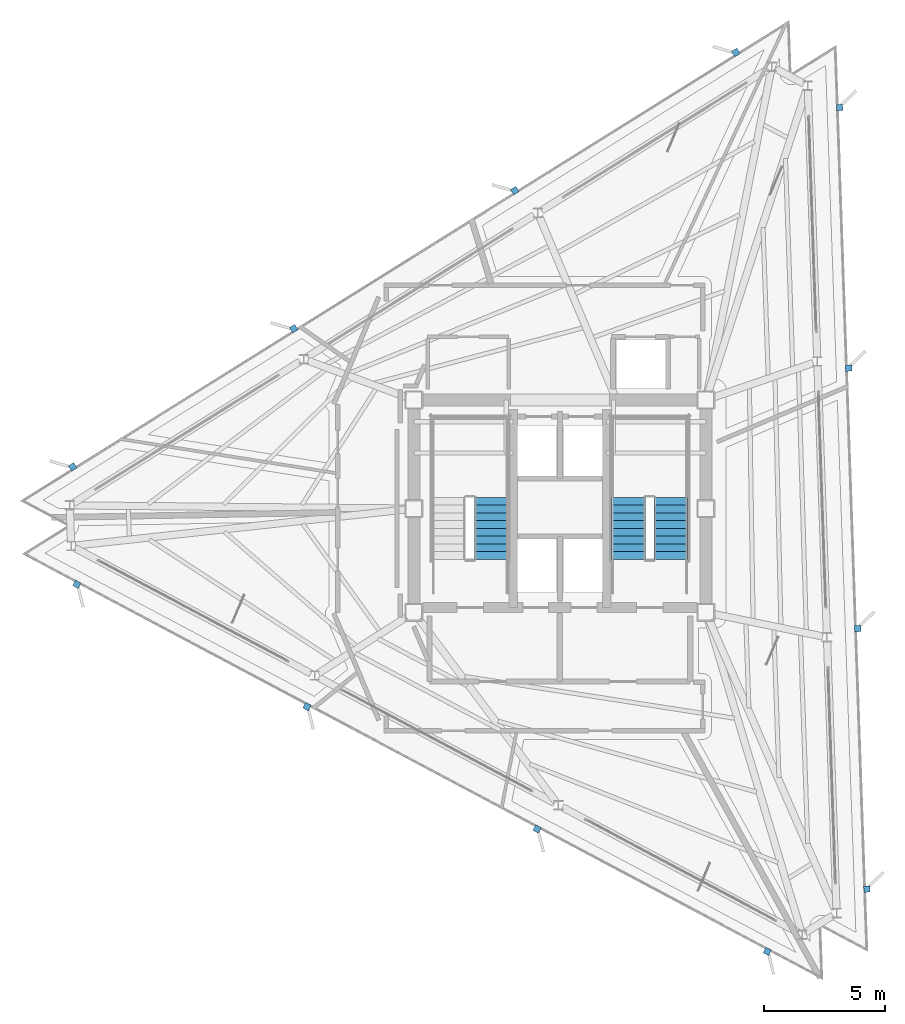
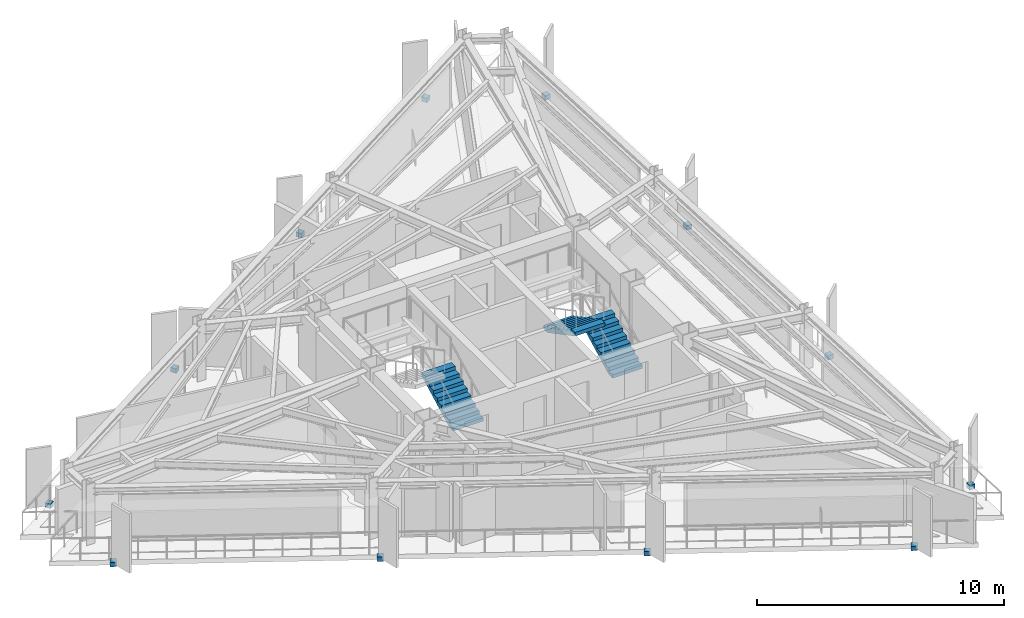
# One storey, part 10 of 13: 12 discrete accessories, 3 stair flights, 2 elements without a shape of their own.
"""IFC4 building model written with IfcOpenShell, lengths in metres."""

from ifc_helpers import new_model, si_unit, direction, frame, origin, origin_2d, place, context, subcontext, project, spatial, polyline, rectangle, outline, extrude, material, layer, layer_set, type_object, element, aggregate, save


model = new_model("IFC4")

# Units and contexts
model_context = context("Model", 3, precision=1e-05, world=origin(), true_north=direction((0.0, 1.0)))
body_context = subcontext(model_context, "Body", "Model", "MODEL_VIEW")
ifc_project = project(units=[si_unit("LENGTHUNIT", "METRE"), si_unit("AREAUNIT", "SQUARE_METRE"), si_unit("VOLUMEUNIT", "CUBIC_METRE"), si_unit("PLANEANGLEUNIT", "RADIAN"), si_unit("MASSUNIT", "GRAM", prefix="KILO")], contexts=[model_context])

# Site, building, storey
site_placement = place(None, origin())
site = spatial("IfcSite", under=ifc_project, at=site_placement, CompositionType="ELEMENT")
building_placement = place(site_placement, origin())
building = spatial("IfcBuilding", under=site, at=building_placement, Name="Rocaltana Carrier Exchange", CompositionType="ELEMENT")
storey_placement = place(building_placement, frame((0.0, 0.0, 196.639892578125)))
storey = spatial("IfcBuildingStorey", under=building, at=storey_placement, Name="L62", CompositionType="ELEMENT", Elevation=196.639892578125)

# Stair, stair flight
ifc_material_1 = material(Name="Precast concrete C45/55", Category="concrete")
stair_type = type_object("IfcStairType", Name="Standard Dog-Leg Stair 160", PredefinedType="HALF_TURN_STAIR", material=ifc_material_1)
stair_1_placement = place(storey_placement, origin())
stair_1 = element("IfcStair", 1, at=stair_1_placement, inside=storey, type_object=stair_type, Name="L62 Core West Exit Stair ST-1", PredefinedType="HALF_TURN_STAIR")
ifc_material_2 = material(Name="Precast concrete C45/55", Category="concrete")
stair_flight_type = type_object("IfcStairFlightType", Name="Precast Stair Flight 160", PredefinedType="STRAIGHT", material=ifc_material_2)
stair_flight_1_placement = place(storey_placement, frame((-2.840087890625, -2.10009765625, 0.0), z_axis=(0.0, 0.0, 1.0), x_axis=(0.0, 1.0, 0.0)))
stair_flight_1 = element("IfcStairFlight", 2, at=stair_flight_1_placement, type_object=stair_flight_type, Name="ST-1 flight 1", NumberOfRisers=9, NumberOfTreads=8, PredefinedType="STRAIGHT", RiserHeight=0.168888889, TreadLength=0.32, context=body_context, shape_type="SweptSolid", body=[
    extrude(outline(polyline([(0.0, 0.0), (0.0, 0.1689453125), (0.320068359375, 0.1689453125), (0.320068359375, 0.337890625), (0.639892578125, 0.337890625), (0.639892578125, 0.506591796875), (0.9599609375, 0.506591796875), (0.9599609375, 0.675537109375), (1.280029296875, 0.675537109375), (1.280029296875, 0.844482421875), (1.60009765625, 0.844482421875), (1.60009765625, 1.013427734375), (1.919921875, 1.013427734375), (1.919921875, 1.18212890625), (2.239990234375, 1.18212890625), (2.239990234375, 1.35107421875), (2.56005859375, 1.35107421875), (2.56005859375, 1.52001953125), (2.56005859375, 1.17041015625), (0.342529296875, 0.0), (0.0, 0.0)])), frame((0.0, 0.699951171875, 0.0), z_axis=(0.0, -1.0, 0.0), x_axis=(1.0, 0.0, 0.0)), (0.0, 0.0, 1.0), 1.39990234375),
])
aggregate(stair_1, [stair_flight_1])

# Stair, stair flights
stair_2_placement = place(storey_placement, origin())
stair_2 = element("IfcStair", 3, at=stair_2_placement, inside=storey, type_object=stair_type, Name="L62 Core East Exit Stair ST-2", PredefinedType="HALF_TURN_STAIR")
stair_flight_2_placement = place(storey_placement, frame((4.60009765625, -2.10009765625, 0.0), z_axis=(0.0, 0.0, 1.0), x_axis=(0.0, 1.0, 0.0)))
stair_flight_2 = element("IfcStairFlight", 4, at=stair_flight_2_placement, type_object=stair_flight_type, Name="ST-2 flight 1", NumberOfRisers=9, NumberOfTreads=8, PredefinedType="STRAIGHT", RiserHeight=0.168888889, TreadLength=0.32, context=body_context, shape_type="SweptSolid", body=[
    extrude(outline(polyline([(0.0, 0.0), (0.0, 0.1689453125), (0.320068359375, 0.1689453125), (0.320068359375, 0.337890625), (0.639892578125, 0.337890625), (0.639892578125, 0.506591796875), (0.9599609375, 0.506591796875), (0.9599609375, 0.675537109375), (1.280029296875, 0.675537109375), (1.280029296875, 0.844482421875), (1.60009765625, 0.844482421875), (1.60009765625, 1.013427734375), (1.919921875, 1.013427734375), (1.919921875, 1.18212890625), (2.239990234375, 1.18212890625), (2.239990234375, 1.35107421875), (2.56005859375, 1.35107421875), (2.56005859375, 1.52001953125), (2.56005859375, 1.17041015625), (0.342529296875, 0.0), (0.0, 0.0)])), frame((0.0, 0.699951171875, 0.0), z_axis=(0.0, -1.0, 0.0), x_axis=(1.0, 0.0, 0.0)), (0.0, 0.0, 1.0), 1.39990234375),
])
stair_flight_3_placement = place(storey_placement, frame((2.840087890625, 0.4599609375, 1.52001953125), z_axis=(0.0, 0.0, 1.0), x_axis=(0.0, -1.0, 0.0)))
stair_flight_3 = element("IfcStairFlight", 5, at=stair_flight_3_placement, type_object=stair_flight_type, Name="ST-2 flight 2", NumberOfRisers=9, NumberOfTreads=8, PredefinedType="STRAIGHT", RiserHeight=0.168888889, TreadLength=0.32, context=body_context, shape_type="SweptSolid", body=[
    extrude(outline(polyline([(0.0, 0.0), (0.0, 0.1689453125), (0.320068359375, 0.1689453125), (0.320068359375, 0.337890625), (0.639892578125, 0.337890625), (0.639892578125, 0.506591796875), (0.9599609375, 0.506591796875), (0.9599609375, 0.675537109375), (1.280029296875, 0.675537109375), (1.280029296875, 0.844482421875), (1.60009765625, 0.844482421875), (1.60009765625, 1.013427734375), (1.919921875, 1.013427734375), (1.919921875, 1.18212890625), (2.239990234375, 1.18212890625), (2.239990234375, 1.35107421875), (2.56005859375, 1.35107421875), (2.56005859375, 1.52001953125), (2.56005859375, 1.17041015625), (0.342529296875, 0.0), (0.0, 0.0)])), frame((0.0, 0.699951171875, 0.0), z_axis=(0.0, -1.0, 0.0), x_axis=(1.0, 0.0, 0.0)), (0.0, 0.0, 1.0), 1.39990234375),
])
aggregate(stair_2, [stair_flight_2, stair_flight_3])

# Discrete accessories
ifc_material_3 = material(Name="Brushed Architectural Stainless Metal", Category="steel")
ifc_layer = layer(ifc_material_3, 0.219970703125)
ifc_layer_set = layer_set([ifc_layer], Name="Brushed Architectural Stainless Metal")
discrete_accessory_type = type_object("IfcDiscreteAccessoryType", Name="Stainless Fin Slab-Edge Bracket 260x260x220", PredefinedType="BRACKET", material=ifc_layer_set)
for number, where, z_axis, x_axis, name in (
    (6, (12.722412109375, -15.765625, -0.2099609375), (0.0, 0.0, 1.0), (-0.034899496703, 0.999390827019, 0.0), "L62 Sandstone Fin Edge Bracket F1-01"),
    (7, (12.345458984375, -4.97216796875, -0.2099609375), (0.0, 0.0, 1.0), (-0.034899496703, 0.999390827019, 0.0), "L62 Sandstone Fin Edge Bracket F1-02"),
    (8, (11.968505859375, 5.8212890625, -0.2099609375), (0.0, 0.0, 1.0), (-0.034899496703, 0.999390827019, 0.0), "L62 Sandstone Fin Edge Bracket F1-03"),
    (9, (11.591552734375, 16.61474609375, -0.2099609375), (0.0, 0.0, 1.0), (-0.034899496703, 0.999390827019, 0.0), "L62 Sandstone Fin Edge Bracket F1-04"),
    (10, (7.292236328125, 18.900634765625, -0.2099609375), (0.0, 0.0, 1.0), (-0.848048096156, -0.529919264233, 0.0), "L62 Sandstone Fin Edge Bracket F2-01"),
    (11, (-1.86669921875, 13.177490234375, -0.2099609375), (0.0, 0.0, 1.0), (-0.848048096156, -0.529919264233, 0.0), "L62 Sandstone Fin Edge Bracket F2-02"),
    (12, (-11.025634765625, 7.454345703125, -0.2099609375), (0.0, 0.0, 1.0), (-0.848048096156, -0.529919264233, 0.0), "L62 Sandstone Fin Edge Bracket F2-03"),
    (13, (-20.1845703125, 1.731201171875, -0.2099609375), (0.0, 0.0, 1.0), (-0.848048096156, -0.529919264233, 0.0), "L62 Sandstone Fin Edge Bracket F2-04"),
    (14, (-20.0146484375, -3.135009765625, -0.2099609375), (0.0, 0.0, 1.0), (0.882947592859, -0.469471562786, 0.0), "L62 Sandstone Fin Edge Bracket F3-01"),
    (15, (-10.478759765625, -8.205322265625, -0.2099609375), (0.0, 0.0, 1.0), (0.882947592859, -0.469471562786, 0.0), "L62 Sandstone Fin Edge Bracket F3-02"),
    (16, (-0.94287109375, -13.275634765625, -0.2099609375), (0.0, 0.0, 1.0), (0.882947592859, -0.469471562786, 0.0), "L62 Sandstone Fin Edge Bracket F3-03"),
    (17, (8.593017578125, -18.345947265625, -0.2099609375), (0.0, 0.0, 1.0), (0.882947592859, -0.469471562786, 0.0), "L62 Sandstone Fin Edge Bracket F3-04"),
):
    element("IfcDiscreteAccessory", number, at=place(storey_placement, frame(where, z_axis=z_axis, x_axis=x_axis)), inside=storey, type_object=discrete_accessory_type, Name=name, PredefinedType="BRACKET", context=body_context, shape_type="SweptSolid", body=[
        extrude(rectangle(XDim=0.260009765625, YDim=0.260009765625, at=origin_2d()), origin(), (0.0, 0.0, 1.0), 0.219970703125),
    ])

save(model, "model.ifc")
